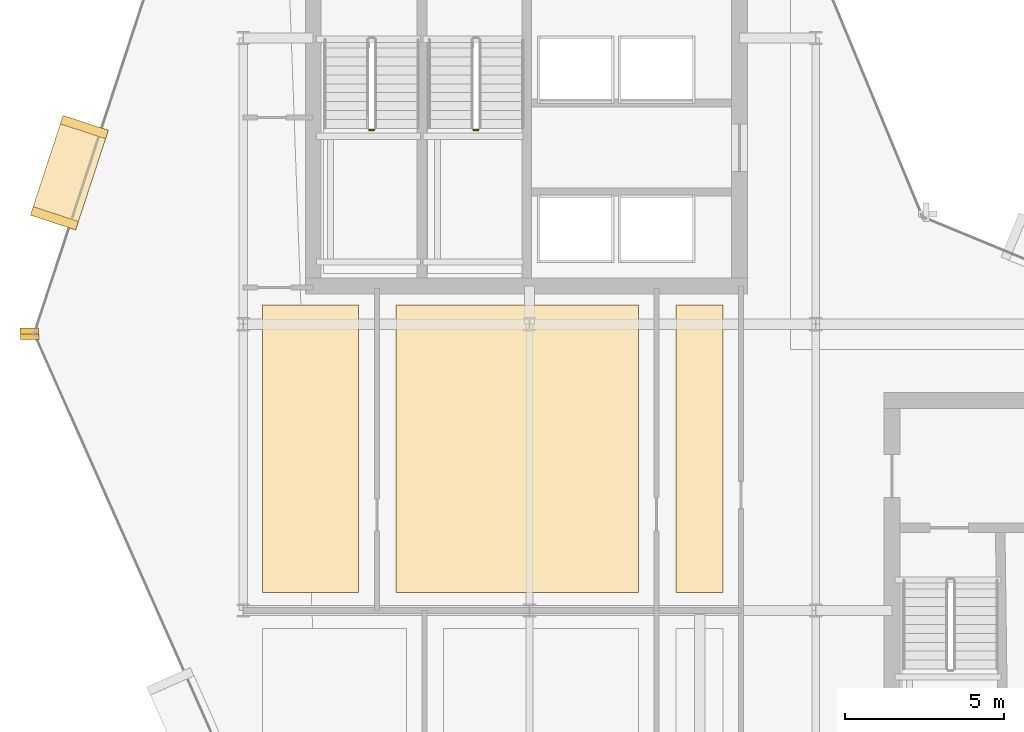
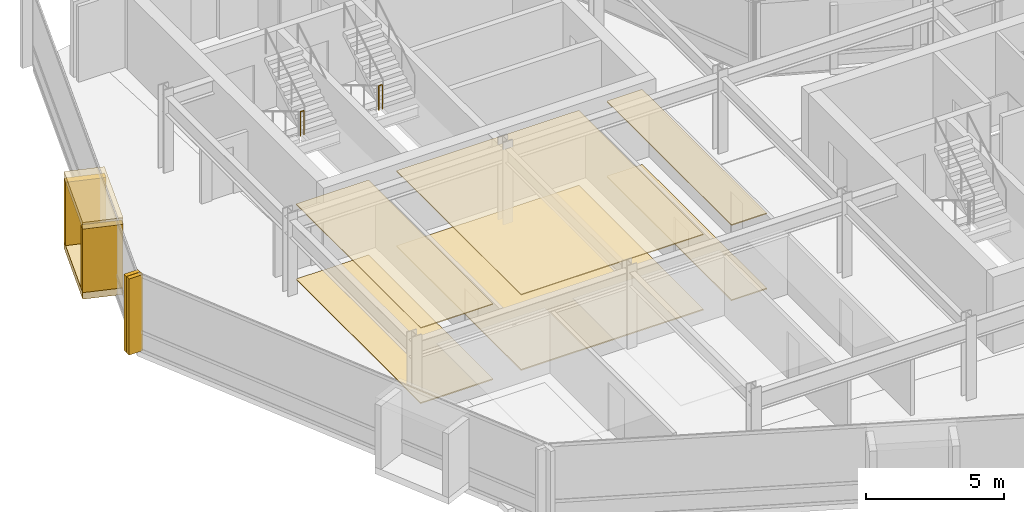
# One storey, part 23 of 27: 12 coverings, 2 railings.
"""IFC4 building model written with IfcOpenShell, lengths in metres."""

from ifc_helpers import new_model, si_unit, direction, frame, origin, origin_2d, place, context, subcontext, project, spatial, polyline, rectangle, circle, outline, extrude, material, layer, layer_set, type_object, element, save


model = new_model("IFC4")

# Units and contexts
model_context = context("Model", 3, precision=1e-05, world=origin(), true_north=direction((0.0, 1.0)))
body_context = subcontext(model_context, "Body", "Model", "MODEL_VIEW")
ifc_project = project(units=[si_unit("LENGTHUNIT", "METRE"), si_unit("AREAUNIT", "SQUARE_METRE"), si_unit("VOLUMEUNIT", "CUBIC_METRE"), si_unit("PLANEANGLEUNIT", "RADIAN"), si_unit("MASSUNIT", "GRAM", prefix="KILO")], contexts=[model_context])

# Site, building, storey
site_placement = place(None, origin())
site = spatial("IfcSite", under=ifc_project, at=site_placement, CompositionType="ELEMENT")
building_placement = place(site_placement, origin())
building = spatial("IfcBuilding", under=site, at=building_placement, Name="Solvaryn Broadcast Tower", CompositionType="ELEMENT")
storey_placement = place(building_placement, frame((0.0, 0.0, 192.699951171875)))
storey = spatial("IfcBuildingStorey", under=building, at=storey_placement, Name="L48", CompositionType="ELEMENT", Elevation=192.699951171875)

# Coverings
ifc_material_1 = material(Name="Micro-Perforated Acoustic Gypsum Ceiling", Category="concrete")
ifc_layer_1 = layer(ifc_material_1, 0.0400390625)
ifc_layer_set_1 = layer_set([ifc_layer_1], Name="CV-CEIL-ACOUSTIC")
covering_type_1 = type_object("IfcCoveringType", Name="CV-CEIL-ACOUSTIC", PredefinedType="CEILING", material=ifc_layer_set_1)
covering_1_placement = place(storey_placement, frame((0.0, 0.0, 3.330078125)))
element("IfcCovering", 1, at=covering_1_placement, inside=storey, type_object=covering_type_1, Name="L48 Room Acoustic Ceiling 1", PredefinedType="CEILING", context=body_context, shape_type="SweptSolid", body=[
    extrude(outline(polyline([(9.60009765625, 18.570068359375), (12.6298828125, 18.570068359375), (12.6298828125, 27.60009765625), (9.60009765625, 27.60009765625), (9.60009765625, 18.570068359375)])), origin(), (0.0, 0.0, 1.0), 0.0400390625),
])
covering_2_placement = place(storey_placement, frame((0.0, 0.0, 3.330078125)))
element("IfcCovering", 2, at=covering_2_placement, inside=storey, type_object=covering_type_1, Name="L48 Room Acoustic Ceiling 2", PredefinedType="CEILING", context=body_context, shape_type="SweptSolid", body=[
    extrude(outline(polyline([(13.800048828125, 18.570068359375), (21.429931640625, 18.570068359375), (21.429931640625, 27.60009765625), (13.800048828125, 27.60009765625), (13.800048828125, 18.570068359375)])), origin(), (0.0, 0.0, 1.0), 0.0400390625),
])
covering_3_placement = place(storey_placement, frame((0.0, 0.0, 3.330078125)))
element("IfcCovering", 3, at=covering_3_placement, inside=storey, type_object=covering_type_1, Name="L48 Room Acoustic Ceiling 3", PredefinedType="CEILING", context=body_context, shape_type="SweptSolid", body=[
    extrude(outline(polyline([(22.60009765625, 18.570068359375), (24.080078125, 18.570068359375), (24.080078125, 27.60009765625), (22.60009765625, 27.60009765625), (22.60009765625, 18.570068359375)])), origin(), (0.0, 0.0, 1.0), 0.0400390625),
])
ifc_material_2 = material(Name="Newsroom Raised Data Access Flooring", Category="steel")
ifc_layer_2 = layer(ifc_material_2, 0.050048828125)
ifc_layer_set_2 = layer_set([ifc_layer_2], Name="CV-FLOOR-RAISED")
covering_type_2 = type_object("IfcCoveringType", Name="CV-FLOOR-RAISED", PredefinedType="FLOORING", material=ifc_layer_set_2)
covering_4_placement = place(storey_placement, origin())
element("IfcCovering", 4, at=covering_4_placement, inside=storey, type_object=covering_type_2, Name="L48 Room Acoustic Floor Finish 1", PredefinedType="FLOORING", context=body_context, shape_type="SweptSolid", body=[
    extrude(outline(polyline([(9.60009765625, 18.570068359375), (12.6298828125, 18.570068359375), (12.6298828125, 27.60009765625), (9.60009765625, 27.60009765625), (9.60009765625, 18.570068359375)])), origin(), (0.0, 0.0, 1.0), 0.050048828125),
])
covering_5_placement = place(storey_placement, origin())
element("IfcCovering", 5, at=covering_5_placement, inside=storey, type_object=covering_type_2, Name="L48 Room Acoustic Floor Finish 2", PredefinedType="FLOORING", context=body_context, shape_type="SweptSolid", body=[
    extrude(outline(polyline([(13.800048828125, 18.570068359375), (21.429931640625, 18.570068359375), (21.429931640625, 27.60009765625), (13.800048828125, 27.60009765625), (13.800048828125, 18.570068359375)])), origin(), (0.0, 0.0, 1.0), 0.050048828125),
])
covering_6_placement = place(storey_placement, origin())
element("IfcCovering", 6, at=covering_6_placement, inside=storey, type_object=covering_type_2, Name="L48 Room Acoustic Floor Finish 3", PredefinedType="FLOORING", context=body_context, shape_type="SweptSolid", body=[
    extrude(outline(polyline([(22.60009765625, 18.570068359375), (24.080078125, 18.570068359375), (24.080078125, 27.60009765625), (22.60009765625, 27.60009765625), (22.60009765625, 18.570068359375)])), origin(), (0.0, 0.0, 1.0), 0.050048828125),
])
ifc_material_3 = material(Name="Glazed Architectural Terracotta Rainscreen Cladding", Category="masonry")
ifc_layer_3 = layer(ifc_material_3, 0.280029296875)
ifc_layer_set_3 = layer_set([ifc_layer_3], Name="CV-TC-CLAD")
covering_type_3 = type_object("IfcCoveringType", Name="CV-TC-CLAD", PredefinedType="CLADDING", material=ifc_layer_set_3)
for number, where, z_axis, x_axis, name in (
    (7, (3.533935546875, 31.763916015625, 3.080078125), (0.0, 0.0, 1.0), (-0.311505792684, -0.950244253402, 0.0), "L48 Projecting Stone Window Box Hood 1"),
    (8, (3.533935546875, 31.763916015625, -0.009765625), (0.0, 0.0, 1.0), (-0.311505792684, -0.950244253402, 0.0), "L48 Projecting Stone Window Box Sill 1"),
):
    element("IfcCovering", number, at=place(storey_placement, frame(where, z_axis=z_axis, x_axis=x_axis)), inside=storey, type_object=covering_type_3, Name=name, PredefinedType="CLADDING", context=body_context, shape_type="SweptSolid", body=[
        extrude(rectangle(XDim=3.300048828125, YDim=1.5, at=origin_2d()), origin(), (0.0, 0.0, 1.0), 0.300048828125),
    ])
for number, where, z_axis, x_axis, name in (
    (9, (4.00439453125, 33.198974609375, 0.280029296875), (0.0, 0.0, 1.0), (-0.311505792684, -0.950244253402, 0.0), "L48 Projecting Stone Window Box Cheek 1-1"),
    (10, (3.063720703125, 30.3291015625, 0.280029296875), (0.0, 0.0, 1.0), (-0.311505792684, -0.950244253402, 0.0), "L48 Projecting Stone Window Box Cheek 1-2"),
):
    element("IfcCovering", number, at=place(storey_placement, frame(where, z_axis=z_axis, x_axis=x_axis)), inside=storey, type_object=covering_type_3, Name=name, PredefinedType="CLADDING", context=body_context, shape_type="SweptSolid", body=[
        extrude(rectangle(XDim=0.280029296875, YDim=1.5, at=origin_2d()), origin(), (0.0, 0.0, 1.0), 2.81005859375),
    ])
ifc_material_4 = material(Name="Extruded Architectural Terracotta Fin", Category="masonry")
ifc_layer_4 = layer(ifc_material_4, 0.179931640625)
ifc_layer_set_4 = layer_set([ifc_layer_4], Name="CV-TC-FIN")
covering_type_4 = type_object("IfcCoveringType", Name="CV-TC-FIN", PredefinedType="USERDEFINED", material=ifc_layer_set_4)
for number, where, z_axis, x_axis, name in (
    (11, (2.271240234375, 26.790771484375, 0.0), (0.0, 0.0, 1.0), (1.0, 0.0, 0.0), "L48 Terracotta Vertical Fin FIN-L48-DR1-M01"),
    (12, (2.281005859375, 26.605712890625, 0.0), (0.0, 0.0, 1.0), (1.0, 0.0, 0.0), "L48 Terracotta Vertical Fin FIN-L48-DR2-M00"),
):
    element("IfcCovering", number, at=place(storey_placement, frame(where, z_axis=z_axis, x_axis=x_axis)), inside=storey, type_object=covering_type_4, Name=name, ObjectType="FIN", PredefinedType="USERDEFINED", context=body_context, shape_type="SweptSolid", body=[
        extrude(rectangle(XDim=0.580078125, YDim=0.179931640625, at=origin_2d()), origin(), (0.0, 0.0, 1.0), 3.3701171875),
    ])

# Railings
ifc_material_5 = material(Name="Painted Steel Stair Well Guard", Category="steel")
railing_type = type_object("IfcRailingType", Name="RL-STAIR-GUARD", PredefinedType="BALUSTRADE", material=ifc_material_5)
railing_1_placement = place(storey_placement, frame((12.9599609375, 33.110107421875, 1.85009765625)))
element("IfcRailing", 13, at=railing_1_placement, inside=storey, type_object=railing_type, Name="L48 ST1 stair guard 2", PredefinedType="BALUSTRADE", context=body_context, shape_type="SweptSolid", body=[
    extrude(circle(Radius=0.02392578125, at=origin_2d()), frame((0.0, 0.0, 1.076171875), z_axis=(1.0, 0.0, 0.0), x_axis=(0.0, 1.0, 0.0)), (0.0, 0.0, 1.0), 0.150146484375),
    extrude(circle(Radius=0.02099609375, at=origin_2d()), origin(), (0.0, 0.0, 1.0), 1.052001953125),
    extrude(circle(Radius=0.02099609375, at=origin_2d()), frame((0.150146484375, 0.0, 0.0)), (0.0, 0.0, 1.0), 1.052001953125),
])
railing_2_placement = place(storey_placement, frame((16.239990234375, 33.110107421875, 1.85009765625)))
element("IfcRailing", 14, at=railing_2_placement, inside=storey, type_object=railing_type, Name="L48 ST2 stair guard 2", PredefinedType="BALUSTRADE", context=body_context, shape_type="SweptSolid", body=[
    extrude(circle(Radius=0.02392578125, at=origin_2d()), frame((0.0, 0.0, 1.076171875), z_axis=(1.0, 0.0, 0.0), x_axis=(0.0, 1.0, 0.0)), (0.0, 0.0, 1.0), 0.14990234375),
    extrude(circle(Radius=0.02099609375, at=origin_2d()), origin(), (0.0, 0.0, 1.0), 1.052001953125),
    extrude(circle(Radius=0.02099609375, at=origin_2d()), frame((0.14990234375, 0.0, 0.0)), (0.0, 0.0, 1.0), 1.052001953125),
])

save(model, "model.ifc")
